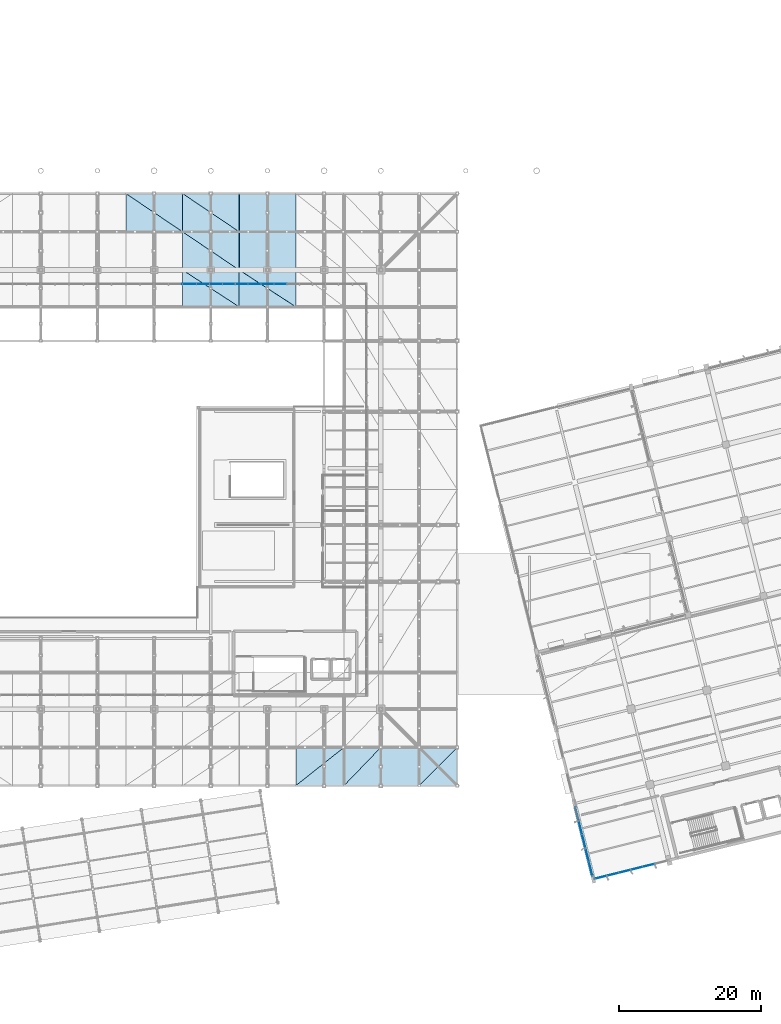
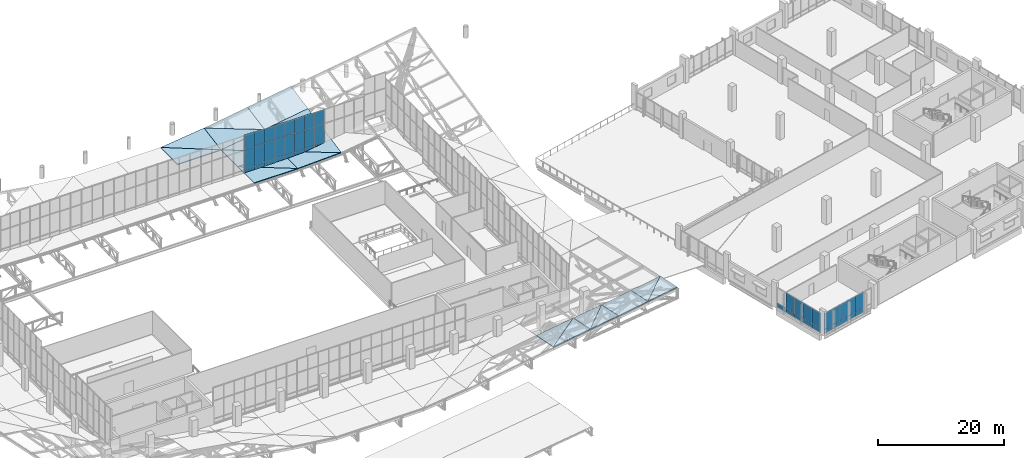
# One storey, part 108 of 137: 43 plates, 19 slabs, 6 elements without a shape of their own.
"""IFC4 building model written with IfcOpenShell, lengths in metres."""

import ifcopenshell
import ifcopenshell.guid

model = None  # the IFC model being written
_history = None  # IfcOwnerHistory: only IFC2X3 demands one
_inside = {}  # id of a spatial element -> (the spatial element, [elements in it])
_under = {}  # id of a project, library or spatial element -> (it, [spatial elements below it])
_declared = {}  # id of a project -> (the project, [libraries it declares])
_typed = {}  # id of a type object -> (the type object, [elements of that type])
_made_of = {}  # id of a material, layer set ... -> (it, [elements and type objects made of it])


def new_model(schema):
    """Start an empty IFC model of exactly this schema.

    Asked for "IFC4X3", IfcOpenShell would pick the latest addendum, in which some entities
    have other attributes; the version numbers below select the first issue.
    IFC2X3 requires an IfcOwnerHistory on every rooted entity: one is made here for all.
    """
    global model, _history
    if schema == "IFC4X3":
        model = ifcopenshell.file(schema_version=(4, 3, 0, 0))
    else:
        model = ifcopenshell.file(schema=schema)
    _inside.clear()
    _under.clear()
    _declared.clear()
    _typed.clear()
    _made_of.clear()
    _history = None
    if model.schema == "IFC2X3":
        org = make("IfcOrganization", Name="unknown")
        user = make(
            "IfcPersonAndOrganization",
            ThePerson=make("IfcPerson", FamilyName="unknown"),
            TheOrganization=org,
        )
        app = make(
            "IfcApplication",
            ApplicationDeveloper=org,
            Version="unknown",
            ApplicationFullName="unknown",
            ApplicationIdentifier="unknown",
        )
        _history = make(
            "IfcOwnerHistory",
            OwningUser=user,
            OwningApplication=app,
            ChangeAction="ADDED",
            CreationDate=0,
        )
    return model


def make(cls, **values):
    """One entity of the class cls with the attributes given. An attribute that is None is left unset."""
    return model.create_entity(
        cls, **{name: value for name, value in values.items() if value is not None}
    )


def rooted(cls, **values):
    """An entity with a GlobalId (a new one), such as an element, a storey or a relation."""
    return make(cls, GlobalId=ifcopenshell.guid.new(), OwnerHistory=_history, **values)


def si_unit(unit_type, name, prefix=None):
    """IfcSIUnit, for example si_unit("LENGTHUNIT", "METRE", prefix="MILLI")."""
    return make("IfcSIUnit", UnitType=unit_type, Prefix=prefix, Name=name)


def assignment(units):
    """IfcUnitAssignment: the units of a project."""
    return None if units is None else make("IfcUnitAssignment", Units=units)


def point(xyz):
    """IfcCartesianPoint."""
    return None if xyz is None else make("IfcCartesianPoint", Coordinates=xyz)


def direction(xyz):
    """IfcDirection."""
    return None if xyz is None else make("IfcDirection", DirectionRatios=xyz)


def frame(location, z_axis=None, x_axis=None):
    """IfcAxis2Placement3D, a coordinate frame: its origin and axes. An axis left out is left unset."""
    return make(
        "IfcAxis2Placement3D",
        Location=point(location),
        Axis=direction(z_axis),
        RefDirection=direction(x_axis),
    )


def frame_2d(location, x_axis=None):
    """IfcAxis2Placement2D, a coordinate frame in the plane: its origin and x axis."""
    return make(
        "IfcAxis2Placement2D", Location=point(location), RefDirection=direction(x_axis)
    )


def origin():
    """The frame at (0, 0, 0) with its axes left unset."""
    return frame((0.0, 0.0, 0.0))


def origin_2d():
    """The frame at (0, 0) in the plane with its x axis left unset."""
    return frame_2d((0.0, 0.0))


def place(relative_to, where):
    """IfcLocalPlacement: puts the frame where relative to a parent placement (None: the world)."""
    return make(
        "IfcLocalPlacement", PlacementRelTo=relative_to, RelativePlacement=where
    )


def context(
    kind, dimensions, precision=None, world=None, true_north=None, identifier=None
):
    """IfcGeometricRepresentationContext, for example the 3D "Model" context."""
    return make(
        "IfcGeometricRepresentationContext",
        ContextIdentifier=identifier,
        ContextType=kind,
        CoordinateSpaceDimension=dimensions,
        Precision=precision,
        WorldCoordinateSystem=world,
        TrueNorth=true_north,
    )


def subcontext(parent, identifier, kind, view, scale=None):
    """IfcGeometricRepresentationSubContext, for example "Body" below "Model"."""
    return make(
        "IfcGeometricRepresentationSubContext",
        ContextIdentifier=identifier,
        ContextType=kind,
        ParentContext=parent,
        TargetScale=scale,
        TargetView=view,
    )


def project(units=None, contexts=None):
    """IfcProject with its units and contexts."""
    return rooted(
        "IfcProject",
        Name="project",
        RepresentationContexts=contexts,
        UnitsInContext=assignment(units),
    )


def spatial(cls, under=None, at=None, **own):
    """A site, building, storey or space (cls), placed at a placement, below another one or the project."""
    s = rooted(cls, ObjectPlacement=at, **own)
    if under is not None:
        _under.setdefault(under.id(), (under, []))[1].append(s)
    return s


def polyline(points):
    """IfcPolyline through the points."""
    return make("IfcPolyline", Points=[point(p) for p in points])


def profile(cls, at=None, kind="AREA", **sizes):
    """A parametric profile (cls). Its sizes go by their IFC names, for example OverallWidth=200.0."""
    return make(cls, ProfileType=kind, Position=at, **sizes)


def rectangle(**sizes):
    """IfcRectangleProfileDef."""
    return profile("IfcRectangleProfileDef", **sizes)


def outline(outer, holes=None, kind="AREA"):
    """IfcArbitraryClosedProfileDef: a profile drawn as a closed curve; with holes, ...WithVoids."""
    if holes is None:
        return make("IfcArbitraryClosedProfileDef", ProfileType=kind, OuterCurve=outer)
    return make(
        "IfcArbitraryProfileDefWithVoids",
        ProfileType=kind,
        OuterCurve=outer,
        InnerCurves=holes,
    )


def extrude(swept, where, along, depth):
    """IfcExtrudedAreaSolid: the profile swept, set in the frame where, extruded along a direction by depth."""
    return make(
        "IfcExtrudedAreaSolid",
        SweptArea=swept,
        Position=where,
        ExtrudedDirection=direction(along),
        Depth=depth,
    )


def shape(context_of_items, identifier, shape_type, items):
    """IfcShapeRepresentation: the items that make up one representation, for example the "Body"."""
    return make(
        "IfcShapeRepresentation",
        ContextOfItems=context_of_items,
        RepresentationIdentifier=identifier,
        RepresentationType=shape_type,
        Items=items,
    )


def material(Name=None, Category=None):
    """IfcMaterial."""
    return make("IfcMaterial", Name=Name, Category=Category)


def layer(
    of_material, thickness, ventilated=None, Name=None, Category=None, Priority=None
):
    """IfcMaterialLayer: one layer of a wall or slab, of a material (None: an air gap)."""
    return make(
        "IfcMaterialLayer",
        Material=of_material,
        LayerThickness=thickness,
        IsVentilated=ventilated,
        Name=Name,
        Category=Category,
        Priority=Priority,
    )


def layer_set(layers, Name=None):
    """IfcMaterialLayerSet."""
    return make("IfcMaterialLayerSet", MaterialLayers=layers, LayerSetName=Name)


def made_of(thing, what):
    """Note that an element or type object is made of a material, layer set ...; save() writes the relation."""
    if what is not None:
        _made_of.setdefault(what.id(), (what, []))[1].append(thing)
    return thing


def type_object(cls, material=None, **own):
    """A type object (cls), such as IfcWallType, which elements share."""
    return made_of(rooted(cls, **own), material)


def element(
    cls,
    number,
    at=None,
    inside=None,
    cuts=None,
    type_object=None,
    material=None,
    context=None,
    identifier="Body",
    shape_type=None,
    held_by="IfcProductDefinitionShape",
    body=None,
    shapes=None,
    **own,
):
    """One element of the class cls, such as IfcWall. Its Tag is "e" and its number.

    at: its placement. inside: the storey or other place that contains it. cuts: it is an
    opening in that element (IfcRelVoidsElement). A single representation is given by context,
    identifier, shape_type and body (its items); several are given by shapes. held_by: the class
    of the entity that holds the representations. save() writes the other relations.
    """
    e = rooted(cls, Tag="e%d" % number, ObjectPlacement=at, **own)
    if body is not None:
        shapes = [shape(context, identifier, shape_type, body)]
    if shapes is not None:
        e.Representation = make(held_by, Representations=shapes)
    if inside is not None:
        _inside.setdefault(inside.id(), (inside, []))[1].append(e)
    if cuts is not None:
        rooted(
            "IfcRelVoidsElement", RelatingBuildingElement=cuts, RelatedOpeningElement=e
        )
    if type_object is not None:
        _typed.setdefault(type_object.id(), (type_object, []))[1].append(e)
    return made_of(e, material)


def aggregate(whole, parts):
    """IfcRelAggregates: a whole, such as a stair, and the parts it consists of."""
    return rooted("IfcRelAggregates", RelatingObject=whole, RelatedObjects=parts)


def save(model, path):
    """Write the relations noted so far, then the file.

    IfcRelAggregates (storeys below a building ...), IfcRelContainedInSpatialStructure (elements
    in a storey), IfcRelDefinesByType, IfcRelAssociatesMaterial and IfcRelDeclares: one each for
    every whole, place, type object, material and project.
    """
    for whole, parts in _under.values():
        aggregate(whole, parts)
    for where, things in _inside.values():
        rooted(
            "IfcRelContainedInSpatialStructure",
            RelatedElements=things,
            RelatingStructure=where,
        )
    for kind, things in _typed.values():
        rooted("IfcRelDefinesByType", RelatedObjects=things, RelatingType=kind)
    for what, things in _made_of.values():
        rooted("IfcRelAssociatesMaterial", RelatedObjects=things, RelatingMaterial=what)
    for by, libraries in _declared.values():
        rooted("IfcRelDeclares", RelatingContext=by, RelatedDefinitions=libraries)
    model.write(path)


model = new_model("IFC4")

# Units and contexts
model_context = context("Model", 3, precision=1e-05, world=origin(), true_north=direction((0.0, 1.0)))
body_context = subcontext(model_context, "Body", "Model", "MODEL_VIEW")
ifc_project = project(units=[si_unit("LENGTHUNIT", "METRE"), si_unit("AREAUNIT", "SQUARE_METRE"), si_unit("VOLUMEUNIT", "CUBIC_METRE"), si_unit("PLANEANGLEUNIT", "RADIAN"), si_unit("MASSUNIT", "GRAM", prefix="KILO")], contexts=[model_context])

# Site, building, storey
site_placement = place(None, origin())
site = spatial("IfcSite", under=ifc_project, at=site_placement, CompositionType="ELEMENT")
building_placement = place(site_placement, origin())
building = spatial("IfcBuilding", under=site, at=building_placement, Name="Khorjan Park Terminus", CompositionType="ELEMENT")
storey_placement = place(building_placement, frame((0.0, 0.0, 11.4)))
storey = spatial("IfcBuildingStorey", under=building, at=storey_placement, Name="L02", CompositionType="ELEMENT", Elevation=11.4)

# Curtain wall, plates
ifc_material_1 = material(Name="Anodized Bronze Aluminium", Category="aluminium")
ifc_layer_1 = layer(ifc_material_1, 0.22)
ifc_layer_set_1 = layer_set([ifc_layer_1], Name="Anodized Bronze Aluminium")
curtain_wall_type_1 = type_object("IfcCurtainWallType", Name="CW-OPS-B", PredefinedType="NOTDEFINED", material=ifc_layer_set_1)
curtain_wall_1_placement = place(storey_placement, origin())
curtain_wall_1 = element("IfcCurtainWall", 1, at=curtain_wall_1_placement, inside=storey, type_object=curtain_wall_type_1, Name="Unitized curtain wall CW-B (CW-V5-W-L02-B03)", PredefinedType="NOTDEFINED")
ifc_material_2 = material(Name="Low-E Solar Control Double Glazing", Category="glass")
ifc_layer_2 = layer(ifc_material_2, 0.032)
ifc_layer_set_2 = layer_set([ifc_layer_2], Name="Low-E Solar Control Double Glazing")
plate_type_1 = type_object("IfcPlateType", Name="GL-VIS-32", PredefinedType="CURTAIN_PANEL", material=ifc_layer_set_2)
plate_1_placement = place(storey_placement, frame((164.1886, 9.2653, 0.85), z_axis=(0.0, 0.0, 1.0), x_axis=(0.24192009683, -0.970296174758, 0.0)))
plate_1 = element("IfcPlate", 2, at=plate_1_placement, type_object=plate_type_1, Name="Curtain-wall panel VP-32 (CW-V5-W-L02-B03-1-2)", PredefinedType="CURTAIN_PANEL", context=body_context, shape_type="SweptSolid", body=[
    extrude(rectangle(XDim=1.9879, YDim=0.032, at=origin_2d()), origin(), (0.0, 0.0, 1.0), 3.025),
])
plate_2_placement = place(storey_placement, frame((164.6695, 7.3365, 0.85), z_axis=(0.0, 0.0, 1.0), x_axis=(0.24192009683, -0.970296174758, 0.0)))
plate_2 = element("IfcPlate", 3, at=plate_2_placement, type_object=plate_type_1, Name="Curtain-wall panel VP-32 (CW-V5-W-L02-B03-2-2)", PredefinedType="CURTAIN_PANEL", context=body_context, shape_type="SweptSolid", body=[
    extrude(rectangle(XDim=1.9879, YDim=0.032, at=origin_2d()), origin(), (0.0, 0.0, 1.0), 3.025),
])
plate_3_placement = place(storey_placement, frame((165.1504, 5.4077, 0.85), z_axis=(0.0, 0.0, 1.0), x_axis=(0.24192009683, -0.970296174758, 0.0)))
plate_3 = element("IfcPlate", 4, at=plate_3_placement, type_object=plate_type_1, Name="Curtain-wall panel VP-32 (CW-V5-W-L02-B03-3-2)", PredefinedType="CURTAIN_PANEL", context=body_context, shape_type="SweptSolid", body=[
    extrude(rectangle(XDim=1.9879, YDim=0.032, at=origin_2d()), origin(), (0.0, 0.0, 1.0), 3.025),
])
plate_4_placement = place(storey_placement, frame((165.6313, 3.4787, 0.85), z_axis=(0.0, 0.0, 1.0), x_axis=(0.24192009683, -0.970296174758, 0.0)))
plate_4 = element("IfcPlate", 5, at=plate_4_placement, type_object=plate_type_1, Name="Curtain-wall panel VP-32 (CW-V5-W-L02-B03-4-2)", PredefinedType="CURTAIN_PANEL", context=body_context, shape_type="SweptSolid", body=[
    extrude(rectangle(XDim=1.9879, YDim=0.032, at=origin_2d()), origin(), (0.0, 0.0, 1.0), 3.025),
])

ifc_layer_3 = layer(ifc_material_1, 0.22)
ifc_layer_set_3 = layer_set([ifc_layer_3], Name="Anodized Bronze Aluminium")
curtain_wall_type_2 = type_object("IfcCurtainWallType", Name="CW-CONC-CLR", PredefinedType="NOTDEFINED", material=ifc_layer_set_3)
curtain_wall_2_placement = place(storey_placement, origin())
curtain_wall_2 = element("IfcCurtainWall", 6, at=curtain_wall_2_placement, inside=storey, type_object=curtain_wall_type_2, Name="Unitized curtain wall CW-CL (CW-V2-N-CLR-06)", PredefinedType="NOTDEFINED")
ifc_material_3 = material(Name="Acoustic Laminated Solar Glazing", Category="glass")
ifc_layer_4 = layer(ifc_material_3, 0.036)
ifc_layer_set_4 = layer_set([ifc_layer_4], Name="Acoustic Laminated Solar Glazing")
plate_type_2 = type_object("IfcPlateType", Name="GL-VIS-36", PredefinedType="CURTAIN_PANEL", material=ifc_layer_set_4)
plate_5_placement = place(storey_placement, frame((109.0, 86.0, 1.3349), z_axis=(0.0, 0.0, 1.0), x_axis=(-1.0, 0.0, 0.0)))
plate_5 = element("IfcPlate", 7, at=plate_5_placement, type_object=plate_type_2, Name="Curtain-wall panel VP-36 (CW-V2-N-CLR-06-0-2)", PredefinedType="CURTAIN_PANEL", context=body_context, shape_type="SweptSolid", body=[
    extrude(rectangle(XDim=2.0, YDim=0.036, at=origin_2d()), origin(), (0.0, 0.0, 1.0), 3.8601),
])
plate_6_placement = place(storey_placement, frame((109.0, 86.0, 5.1951), z_axis=(0.0, 0.0, 1.0), x_axis=(-1.0, 0.0, 0.0)))
plate_6 = element("IfcPlate", 8, at=plate_6_placement, type_object=plate_type_2, Name="Curtain-wall panel VP-36 (CW-V2-N-CLR-06-0-3)", PredefinedType="CURTAIN_PANEL", context=body_context, shape_type="SweptSolid", body=[
    extrude(rectangle(XDim=2.0, YDim=0.036, at=origin_2d()), origin(), (0.0, 0.0, 1.0), 2.8968),
])

curtain_wall_3_placement = place(storey_placement, origin())
curtain_wall_3 = element("IfcCurtainWall", 9, at=curtain_wall_3_placement, inside=storey, type_object=curtain_wall_type_2, Name="Unitized curtain wall CW-CL (CW-V2-N-CLR-07)", PredefinedType="NOTDEFINED")
plate_7_placement = place(storey_placement, frame((121.8182, 86.0, 1.5663), z_axis=(0.0, 0.0, 1.0), x_axis=(-1.0, 0.0, 0.0)))
plate_7 = element("IfcPlate", 10, at=plate_7_placement, type_object=plate_type_2, Name="Curtain-wall panel VP-36 (CW-V2-N-CLR-07-4-2)", PredefinedType="CURTAIN_PANEL", context=body_context, shape_type="SweptSolid", body=[
    extrude(rectangle(XDim=1.8182, YDim=0.036, at=origin_2d()), origin(), (0.0, 0.0, 1.0), 3.6834),
])
plate_8_placement = place(storey_placement, frame((121.8182, 86.0, 5.2497), z_axis=(0.0, 0.0, 1.0), x_axis=(-1.0, 0.0, 0.0)))
plate_8 = element("IfcPlate", 11, at=plate_8_placement, type_object=plate_type_2, Name="Curtain-wall panel VP-36 (CW-V2-N-CLR-07-4-3)", PredefinedType="CURTAIN_PANEL", context=body_context, shape_type="SweptSolid", body=[
    extrude(rectangle(XDim=1.8182, YDim=0.036, at=origin_2d()), origin(), (0.0, 0.0, 1.0), 2.7886),
])
plate_9_placement = place(storey_placement, frame((120.0, 86.0, 1.5663), z_axis=(0.0, 0.0, 1.0), x_axis=(-1.0, 0.0, 0.0)))
plate_9 = element("IfcPlate", 12, at=plate_9_placement, type_object=plate_type_2, Name="Curtain-wall panel VP-36 (CW-V2-N-CLR-07-5-2)", PredefinedType="CURTAIN_PANEL", context=body_context, shape_type="SweptSolid", body=[
    extrude(rectangle(XDim=1.8182, YDim=0.036, at=origin_2d()), origin(), (0.0, 0.0, 1.0), 3.6834),
])
plate_10_placement = place(storey_placement, frame((120.0, 86.0, 5.2497), z_axis=(0.0, 0.0, 1.0), x_axis=(-1.0, 0.0, 0.0)))
plate_10 = element("IfcPlate", 13, at=plate_10_placement, type_object=plate_type_2, Name="Curtain-wall panel VP-36 (CW-V2-N-CLR-07-5-3)", PredefinedType="CURTAIN_PANEL", context=body_context, shape_type="SweptSolid", body=[
    extrude(rectangle(XDim=1.8182, YDim=0.036, at=origin_2d()), origin(), (0.0, 0.0, 1.0), 2.7886),
])
plate_11_placement = place(storey_placement, frame((118.1818, 86.0, 1.5663), z_axis=(0.0, 0.0, 1.0), x_axis=(-1.0, 0.0, 0.0)))
plate_11 = element("IfcPlate", 14, at=plate_11_placement, type_object=plate_type_2, Name="Curtain-wall panel VP-36 (CW-V2-N-CLR-07-6-2)", PredefinedType="CURTAIN_PANEL", context=body_context, shape_type="SweptSolid", body=[
    extrude(rectangle(XDim=1.8182, YDim=0.036, at=origin_2d()), origin(), (0.0, 0.0, 1.0), 3.6834),
])
plate_12_placement = place(storey_placement, frame((118.1818, 86.0, 5.2497), z_axis=(0.0, 0.0, 1.0), x_axis=(-1.0, 0.0, 0.0)))
plate_12 = element("IfcPlate", 15, at=plate_12_placement, type_object=plate_type_2, Name="Curtain-wall panel VP-36 (CW-V2-N-CLR-07-6-3)", PredefinedType="CURTAIN_PANEL", context=body_context, shape_type="SweptSolid", body=[
    extrude(rectangle(XDim=1.8182, YDim=0.036, at=origin_2d()), origin(), (0.0, 0.0, 1.0), 2.7886),
])
plate_13_placement = place(storey_placement, frame((116.3636, 86.0, 1.5663), z_axis=(0.0, 0.0, 1.0), x_axis=(-1.0, 0.0, 0.0)))
plate_13 = element("IfcPlate", 16, at=plate_13_placement, type_object=plate_type_2, Name="Curtain-wall panel VP-36 (CW-V2-N-CLR-07-7-2)", PredefinedType="CURTAIN_PANEL", context=body_context, shape_type="SweptSolid", body=[
    extrude(rectangle(XDim=1.8182, YDim=0.036, at=origin_2d()), origin(), (0.0, 0.0, 1.0), 3.6834),
])
plate_14_placement = place(storey_placement, frame((116.3636, 86.0, 5.2497), z_axis=(0.0, 0.0, 1.0), x_axis=(-1.0, 0.0, 0.0)))
plate_14 = element("IfcPlate", 17, at=plate_14_placement, type_object=plate_type_2, Name="Curtain-wall panel VP-36 (CW-V2-N-CLR-07-7-3)", PredefinedType="CURTAIN_PANEL", context=body_context, shape_type="SweptSolid", body=[
    extrude(rectangle(XDim=1.8182, YDim=0.036, at=origin_2d()), origin(), (0.0, 0.0, 1.0), 2.7886),
])
plate_15_placement = place(storey_placement, frame((114.5454, 86.0, 1.5663), z_axis=(0.0, 0.0, 1.0), x_axis=(-1.0, 0.0, 0.0)))
plate_15 = element("IfcPlate", 18, at=plate_15_placement, type_object=plate_type_2, Name="Curtain-wall panel VP-36 (CW-V2-N-CLR-07-8-2)", PredefinedType="CURTAIN_PANEL", context=body_context, shape_type="SweptSolid", body=[
    extrude(rectangle(XDim=1.8182, YDim=0.036, at=origin_2d()), origin(), (0.0, 0.0, 1.0), 3.6834),
])
plate_16_placement = place(storey_placement, frame((114.5454, 86.0, 5.2497), z_axis=(0.0, 0.0, 1.0), x_axis=(-1.0, 0.0, 0.0)))
plate_16 = element("IfcPlate", 19, at=plate_16_placement, type_object=plate_type_2, Name="Curtain-wall panel VP-36 (CW-V2-N-CLR-07-8-3)", PredefinedType="CURTAIN_PANEL", context=body_context, shape_type="SweptSolid", body=[
    extrude(rectangle(XDim=1.8182, YDim=0.036, at=origin_2d()), origin(), (0.0, 0.0, 1.0), 2.7886),
])
plate_17_placement = place(storey_placement, frame((112.7273, 86.0, 1.5663), z_axis=(0.0, 0.0, 1.0), x_axis=(-1.0, 0.0, 0.0)))
plate_17 = element("IfcPlate", 20, at=plate_17_placement, type_object=plate_type_2, Name="Curtain-wall panel VP-36 (CW-V2-N-CLR-07-9-2)", PredefinedType="CURTAIN_PANEL", context=body_context, shape_type="SweptSolid", body=[
    extrude(rectangle(XDim=1.8182, YDim=0.036, at=origin_2d()), origin(), (0.0, 0.0, 1.0), 3.6834),
])
plate_18_placement = place(storey_placement, frame((112.7273, 86.0, 5.2497), z_axis=(0.0, 0.0, 1.0), x_axis=(-1.0, 0.0, 0.0)))
plate_18 = element("IfcPlate", 21, at=plate_18_placement, type_object=plate_type_2, Name="Curtain-wall panel VP-36 (CW-V2-N-CLR-07-9-3)", PredefinedType="CURTAIN_PANEL", context=body_context, shape_type="SweptSolid", body=[
    extrude(rectangle(XDim=1.8182, YDim=0.036, at=origin_2d()), origin(), (0.0, 0.0, 1.0), 2.7886),
])
plate_19_placement = place(storey_placement, frame((110.9091, 86.0, 1.5663), z_axis=(0.0, 0.0, 1.0), x_axis=(-1.0, 0.0, 0.0)))
plate_19 = element("IfcPlate", 22, at=plate_19_placement, type_object=plate_type_2, Name="Curtain-wall panel VP-36 (CW-V2-N-CLR-07-10-2)", PredefinedType="CURTAIN_PANEL", context=body_context, shape_type="SweptSolid", body=[
    extrude(rectangle(XDim=1.8182, YDim=0.036, at=origin_2d()), origin(), (0.0, 0.0, 1.0), 3.6834),
])
plate_20_placement = place(storey_placement, frame((110.9091, 86.0, 5.2497), z_axis=(0.0, 0.0, 1.0), x_axis=(-1.0, 0.0, 0.0)))
plate_20 = element("IfcPlate", 23, at=plate_20_placement, type_object=plate_type_2, Name="Curtain-wall panel VP-36 (CW-V2-N-CLR-07-10-3)", PredefinedType="CURTAIN_PANEL", context=body_context, shape_type="SweptSolid", body=[
    extrude(rectangle(XDim=1.8182, YDim=0.036, at=origin_2d()), origin(), (0.0, 0.0, 1.0), 2.7886),
])

curtain_wall_4_placement = place(storey_placement, origin())
curtain_wall_4 = element("IfcCurtainWall", 24, at=curtain_wall_4_placement, inside=storey, type_object=curtain_wall_type_1, Name="Unitized curtain wall CW-B (CW-V5-S-L02-B01)", PredefinedType="NOTDEFINED")
plate_21_placement = place(storey_placement, frame((167.0673, 2.266, 0.85), z_axis=(0.0, 0.0, 1.0), x_axis=(0.970295567478, 0.241922532503, 0.0)))
plate_21 = element("IfcPlate", 25, at=plate_21_placement, type_object=plate_type_2, Name="Curtain-wall panel VP-36 (CW-V5-S-L02-B01-0-2)", PredefinedType="CURTAIN_PANEL", context=body_context, shape_type="SweptSolid", body=[
    extrude(rectangle(XDim=1.74, YDim=0.036, at=origin_2d()), origin(), (0.0, 0.0, 1.0), 3.075),
])
plate_22_placement = place(storey_placement, frame((168.7556, 2.687, 0.85), z_axis=(0.0, 0.0, 1.0), x_axis=(0.970295567478, 0.241922532503, 0.0)))
plate_22 = element("IfcPlate", 26, at=plate_22_placement, type_object=plate_type_2, Name="Curtain-wall panel VP-36 (CW-V5-S-L02-B01-1-2)", PredefinedType="CURTAIN_PANEL", context=body_context, shape_type="SweptSolid", body=[
    extrude(rectangle(XDim=1.74, YDim=0.036, at=origin_2d()), origin(), (0.0, 0.0, 1.0), 3.075),
])
plate_23_placement = place(storey_placement, frame((170.4438, 3.1079, 0.85), z_axis=(0.0, 0.0, 1.0), x_axis=(0.970295567478, 0.241922532503, 0.0)))
plate_23 = element("IfcPlate", 27, at=plate_23_placement, type_object=plate_type_2, Name="Curtain-wall panel VP-36 (CW-V5-S-L02-B01-2-2)", PredefinedType="CURTAIN_PANEL", context=body_context, shape_type="SweptSolid", body=[
    extrude(rectangle(XDim=1.74, YDim=0.036, at=origin_2d()), origin(), (0.0, 0.0, 1.0), 3.075),
])
plate_24_placement = place(storey_placement, frame((172.1322, 3.5289, 0.85), z_axis=(0.0, 0.0, 1.0), x_axis=(0.970295567478, 0.241922532503, 0.0)))
plate_24 = element("IfcPlate", 28, at=plate_24_placement, type_object=plate_type_2, Name="Curtain-wall panel VP-36 (CW-V5-S-L02-B01-3-2)", PredefinedType="CURTAIN_PANEL", context=body_context, shape_type="SweptSolid", body=[
    extrude(rectangle(XDim=1.74, YDim=0.036, at=origin_2d()), origin(), (0.0, 0.0, 1.0), 3.075),
])
plate_25_placement = place(storey_placement, frame((173.8204, 3.9498, 0.85), z_axis=(0.0, 0.0, 1.0), x_axis=(0.970295567478, 0.241922532503, 0.0)))
plate_25 = element("IfcPlate", 29, at=plate_25_placement, type_object=plate_type_2, Name="Curtain-wall panel VP-36 (CW-V5-S-L02-B01-4-2)", PredefinedType="CURTAIN_PANEL", context=body_context, shape_type="SweptSolid", body=[
    extrude(rectangle(XDim=1.74, YDim=0.036, at=origin_2d()), origin(), (0.0, 0.0, 1.0), 3.075),
])

# Roof, slabs
ifc_material_4 = material(Name="Concrete C50/60", Category="concrete")
ifc_layer_5 = layer(ifc_material_4, 0.16)
ifc_layer_set_5 = layer_set([ifc_layer_5], Name="Concrete C50/60")
roof_type = type_object("IfcRoofType", Name="RF-SHELL-LOWER", PredefinedType="FREEFORM", material=ifc_layer_set_5)
roof_1_placement = place(storey_placement, origin())
roof_1 = element("IfcRoof", 30, at=roof_1_placement, inside=storey, type_object=roof_type, Name="Lower 4-sided wrapping folded concrete shell roof RF-CS2 (3)", PredefinedType="FREEFORM")
ifc_layer_6 = layer(ifc_material_4, 0.16)
ifc_layer_set_6 = layer_set([ifc_layer_6], Name="Concrete C50/60")
slab_type = type_object("IfcSlabType", Name="SL-SHL-160", PredefinedType="ROOF", material=ifc_layer_set_6)
slab_1_placement = place(storey_placement, frame((100.0, 93.4, 0.78), z_axis=(0.0, 0.0, 1.0), x_axis=(1.0, 0.0, 0.0)))
slab_1 = element("IfcSlab", 31, at=slab_1_placement, type_object=slab_type, Name="Lower 4-sided wrapping folded concrete shell facet RS-16 (115)", PredefinedType="ROOF", context=body_context, shape_type="SweptSolid", body=[
    extrude(outline(polyline([(0.0, 0.0), (8.0, 0.0), (0.0, 5.3999999999999915), (0.0, 0.0)])), origin(), (0.0, 0.0, -1.0), 0.16),
])
slab_2_placement = place(storey_placement, frame((108.0, 93.4, 0.78), z_axis=(-0.117518365138, -0.174101281686, 0.977690225772), x_axis=(0.0, 0.98451219689, 0.175316097876)))
slab_2 = element("IfcSlab", 32, at=slab_2_placement, type_object=slab_type, Name="Lower 4-sided wrapping folded concrete shell facet RS-16 (116)", PredefinedType="ROOF", context=body_context, shape_type="SweptSolid", body=[
    extrude(outline(polyline([(0.0, 0.0), (5.484949822924538, 0.0), (5.316365863207114, 8.055821125653548), (0.0, 0.0)])), origin(), (0.0, 0.0, -1.0), 0.16),
])
slab_3_placement = place(storey_placement, frame((108.0, 82.8, 0.78), z_axis=(0.0, 0.0, 1.0), x_axis=(1.0, 0.0, 0.0)))
slab_3 = element("IfcSlab", 33, at=slab_3_placement, type_object=slab_type, Name="Lower 4-sided wrapping folded concrete shell facet RS-16 (123)", PredefinedType="ROOF", context=body_context, shape_type="SweptSolid", body=[
    extrude(outline(polyline([(0.0, 0.0), (8.0, 0.0), (0.0, 5.200000000000003), (0.0, 0.0)])), origin(), (0.0, 0.0, -1.0), 0.16),
])
slab_4_placement = place(storey_placement, frame((116.0, 82.8, 0.78), z_axis=(-0.009710957997, -0.01493993538, 0.99984123521), x_axis=(0.0, 0.999888382411, 0.014940639868)))
slab_4 = element("IfcSlab", 34, at=slab_4_placement, type_object=slab_type, Name="Lower 4-sided wrapping folded concrete shell facet RS-16 (124)", PredefinedType="ROOF", context=body_context, shape_type="SweptSolid", body=[
    extrude(outline(polyline([(0.0, 0.0), (5.200580476254553, 1.0842021724855044e-19), (5.199419588536813, 8.000377237501974), (0.0, 0.0)])), origin(), (0.0, 0.0, -1.0), 0.16),
])
slab_5_placement = place(storey_placement, frame((108.0, 88.0, 0.78), z_axis=(-0.009712041929, 0.0, 0.999952837009), x_axis=(0.999952837009, 0.0, 0.009712041929)))
slab_5 = element("IfcSlab", 35, at=slab_5_placement, type_object=slab_type, Name="Lower 4-sided wrapping folded concrete shell facet RS-16 (125)", PredefinedType="ROOF", context=body_context, shape_type="SweptSolid", body=[
    extrude(outline(polyline([(0.0, 0.0), (8.00037732172677, 0.0), (0.0, 5.400000000000006), (0.0, 0.0)])), origin(), (0.0, 0.0, -1.0), 0.16),
])
slab_6_placement = place(storey_placement, frame((116.0, 88.0, 0.8577), z_axis=(-0.140836900099, -0.19467991896, 0.97070319703), x_axis=(0.0, 0.980475784127, 0.196639865594)))
slab_6 = element("IfcSlab", 36, at=slab_6_placement, type_object=slab_type, Name="Lower 4-sided wrapping folded concrete shell facet RS-16 (126)", PredefinedType="ROOF", context=body_context, shape_type="SweptSolid", body=[
    extrude(outline(polyline([(0.0, 0.0), (5.507530208723332, -2.7755575615628914e-17), (5.279290316728008, 8.080540269171486), (0.0, 0.0)])), origin(), (0.0, 0.0, -1.0), 0.16),
])
slab_7_placement = place(storey_placement, frame((108.0, 93.4, 0.78), z_axis=(-0.141405126056, -0.173554488786, 0.974619633368), x_axis=(0.989638115901, 0.0, 0.143584120141)))
slab_7 = element("IfcSlab", 37, at=slab_7_placement, type_object=slab_type, Name="Lower 4-sided wrapping folded concrete shell facet RS-16 (127)", PredefinedType="ROOF", context=body_context, shape_type="SweptSolid", body=[
    extrude(outline(polyline([(0.0, 0.0), (8.083763015452643, -2.7755575615628914e-17), (0.138070489927333, 5.483211750407889), (0.0, 0.0)])), origin(), (0.0, 0.0, -1.0), 0.16),
])
slab_8_placement = place(storey_placement, frame((116.0, 93.4, 1.9407), z_axis=(-0.155228813368, -0.194256303897, 0.968590988961), x_axis=(0.0, 0.980475784127, 0.196639865594)))
slab_8 = element("IfcSlab", 38, at=slab_8_placement, type_object=slab_type, Name="Lower 4-sided wrapping folded concrete shell facet RS-16 (128)", PredefinedType="ROOF", context=body_context, shape_type="SweptSolid", body=[
    extrude(outline(polyline([(0.0, 0.0), (5.507530208723318, 5.551115123125783e-17), (5.255418237044842, 8.09816151751349), (0.0, 0.0)])), origin(), (0.0, 0.0, -1.0), 0.16),
])
slab_9_placement = place(storey_placement, frame((116.0, 82.8, 0.78), z_axis=(-0.039589515723, -0.014928926822, 0.999104497732), x_axis=(0.999215852983, 0.0, 0.039593928174)))
slab_9 = element("IfcSlab", 39, at=slab_9_placement, type_object=slab_type, Name="Lower 4-sided wrapping folded concrete shell facet RS-16 (133)", PredefinedType="ROOF", context=body_context, shape_type="SweptSolid", body=[
    extrude(outline(polyline([(0.0, 0.0), (8.006278099091988, 0.0), (0.003076448219153604, 5.200579566304739), (0.0, 0.0)])), origin(), (0.0, 0.0, -1.0), 0.16),
])
slab_10_placement = place(storey_placement, frame((124.0, 82.8, 1.097), z_axis=(-0.15524056657, -0.194257930331, 0.968588779098), x_axis=(0.0, 0.980475380201, 0.196641879618)))
slab_10 = element("IfcSlab", 40, at=slab_10_placement, type_object=slab_type, Name="Lower 4-sided wrapping folded concrete shell facet RS-16 (134)", PredefinedType="ROOF", context=body_context, shape_type="SweptSolid", body=[
    extrude(outline(polyline([(0.0, 0.0), (5.303549793298827, 0.0), (5.051415575253095, 8.09817665750078), (0.0, 0.0)])), origin(), (0.0, 0.0, -1.0), 0.16),
])
slab_11_placement = place(storey_placement, frame((116.0, 88.0, 0.8577), z_axis=(-0.155240628983, -0.194255938796, 0.96858916851), x_axis=(0.987398235344, 0.0, 0.15825525217)))
slab_11 = element("IfcSlab", 41, at=slab_11_placement, type_object=slab_type, Name="Lower 4-sided wrapping folded concrete shell facet RS-16 (135)", PredefinedType="ROOF", context=body_context, shape_type="SweptSolid", body=[
    extrude(outline(polyline([(0.0, 0.0), (8.102100767085041, 0.0), (8.27349120518491, 5.504862788274382), (0.17139043809987023, 5.504862788274382), (0.0, 0.0)])), origin(), (0.0, 0.0, -1.0), 0.16),
])
slab_12_placement = place(storey_placement, frame((116.0, 93.4, 1.9407), z_axis=(-0.155240628983, -0.194255938796, 0.96858916851), x_axis=(0.987398235344, 0.0, 0.15825525217)))
slab_12 = element("IfcSlab", 42, at=slab_12_placement, type_object=slab_type, Name="Lower 4-sided wrapping folded concrete shell facet RS-16 (136)", PredefinedType="ROOF", context=body_context, shape_type="SweptSolid", body=[
    extrude(outline(polyline([(0.0, 0.0), (8.102100767085041, 0.0), (8.27349120518491, 5.504862788274369), (0.17139043809987023, 5.504862788274369), (0.0, 0.0)])), origin(), (0.0, 0.0, -1.0), 0.16),
])
aggregate(roof_1, [slab_1, slab_2, slab_3, slab_4, slab_5, slab_6, slab_7, slab_8, slab_9, slab_10, slab_11, slab_12])

roof_2_placement = place(storey_placement, origin())
roof_2 = element("IfcRoof", 43, at=roof_2_placement, inside=storey, type_object=roof_type, Name="Lower 4-sided wrapping folded concrete shell roof RF-CS2 (4)", PredefinedType="FREEFORM")
slab_13_placement = place(storey_placement, frame((124.0, 15.2, 4.3059), z_axis=(-0.148866760064, 0.197724879688, 0.968887795207), x_axis=(0.988401253696, 0.0, 0.151864945568)))
slab_13 = element("IfcSlab", 44, at=slab_13_placement, type_object=slab_type, Name="Lower 4-sided wrapping folded concrete shell facet RS-16 (137)", PredefinedType="ROOF", context=body_context, shape_type="SweptSolid", body=[
    extrude(outline(polyline([(0.0, 0.0), (6.8797970202615835, 0.0), (6.712441850245794, 5.50875632489485), (0.0, 0.0)])), origin(), (0.0, 0.0, -1.0), 0.16),
])
slab_14_placement = place(storey_placement, frame((124.0, 15.2, 4.3059), z_axis=(-0.146315862219, 0.194523612236, 0.969923828321), x_axis=(0.783093857246, 0.621868651343, -0.00658720127)))
slab_14 = element("IfcSlab", 45, at=slab_14_placement, type_object=slab_type, Name="Lower 4-sided wrapping folded concrete shell facet RS-16 (138)", PredefinedType="ROOF", context=body_context, shape_type="SweptSolid", body=[
    extrude(outline(polyline([(0.0, 0.0), (8.683505734436993, 4.614364446098307e-16), (3.3652246562251698, 4.359833943298095), (0.0, 0.0)])), origin(), (0.0, 0.0, -1.0), 0.16),
])
slab_15_placement = place(storey_placement, frame((130.8, 15.2, 5.3507), z_axis=(-0.144665218122, 0.205483566718, 0.967909333809), x_axis=(0.989014339855, 0.0, 0.147819604795)))
slab_15 = element("IfcSlab", 46, at=slab_15_placement, type_object=slab_type, Name="Lower 4-sided wrapping folded concrete shell facet RS-16 (149)", PredefinedType="ROOF", context=body_context, shape_type="SweptSolid", body=[
    extrude(outline(polyline([(0.0, 0.0), (5.25775996409116, 2.7755575615628914e-17), (5.088299569153939, 5.517745566311277), (0.0, 0.0)])), origin(), (0.0, 0.0, -1.0), 0.16),
])
slab_16_placement = place(storey_placement, frame((130.8, 15.2, 5.3507), z_axis=(-0.136779491301, 0.198073648753, 0.970596826921), x_axis=(0.69280202772, 0.719448259556, -0.049188943968)))
slab_16 = element("IfcSlab", 47, at=slab_16_placement, type_object=slab_type, Name="Lower 4-sided wrapping folded concrete shell facet RS-16 (150)", PredefinedType="ROOF", context=body_context, shape_type="SweptSolid", body=[
    extrude(outline(polyline([(0.0, 0.0), (7.505751703860174, 8.326672684688674e-16), (3.939226817854089, 3.8544644345874004), (0.0, 0.0)])), origin(), (0.0, 0.0, -1.0), 0.16),
])
slab_17_placement = place(storey_placement, frame((136.0, 15.2, 6.1279), z_axis=(-0.163702380927, 0.204858058376, 0.965005029208), x_axis=(0.985914673299, 1.804674e-06, 0.167249086609)))
slab_17 = element("IfcSlab", 48, at=slab_17_placement, type_object=slab_type, Name="Lower 4-sided wrapping folded concrete shell facet RS-16 (171)", PredefinedType="ROOF", context=body_context, shape_type="SweptSolid", body=[
    extrude(outline(polyline([(0.0, 0.0), (5.477139399145504, -2.7755575615628914e-17), (5.28543151640735, 5.516996626369097), (-0.19172460764681556, 5.51701682365521), (0.0, 0.0)])), origin(), (0.0, 0.0, -1.0), 0.16),
])
slab_18_placement = place(storey_placement, frame((141.4, 15.2, 7.0439), z_axis=(-0.163710777019, 0.204866318933, 0.965001851218), x_axis=(0.985913104802, 0.0, 0.167258332465)))
slab_18 = element("IfcSlab", 49, at=slab_18_placement, type_object=slab_type, Name="Lower 4-sided wrapping folded concrete shell facet RS-16 (187)", PredefinedType="ROOF", context=body_context, shape_type="SweptSolid", body=[
    extrude(outline(polyline([(0.0, 0.0), (5.477156124303931, -2.7755575615628914e-17), (5.285411171966377, 5.517016116820133), (0.0, 0.0)])), origin(), (0.0, 0.0, -1.0), 0.16),
])
slab_19_placement = place(storey_placement, frame((141.4, 15.2, 7.0439), z_axis=(-0.163693984756, 0.204849797735, 0.965008207075), x_axis=(0.706785467467, 0.706785467467, -0.030143091325)))
slab_19 = element("IfcSlab", 50, at=slab_19_placement, type_object=slab_type, Name="Lower 4-sided wrapping folded concrete shell facet RS-16 (188)", PredefinedType="ROOF", context=body_context, shape_type="SweptSolid", body=[
    extrude(outline(polyline([(0.0, 0.0), (7.640225002576828, -8.049116928532385e-16), (3.851194549908695, 3.955035300569843), (0.0, 0.0)])), origin(), (0.0, 0.0, -1.0), 0.16),
])
aggregate(roof_2, [slab_13, slab_14, slab_15, slab_16, slab_17, slab_18, slab_19])

# Plate
ifc_material_5 = material(Name="Insulated Anodized Bronze Spandrel Panel")
ifc_layer_7 = layer(ifc_material_5, 0.045)
ifc_layer_set_7 = layer_set([ifc_layer_7], Name="Insulated Anodized Bronze Spandrel Panel")
plate_type_3 = type_object("IfcPlateType", Name="SP-AL-45", PredefinedType="CURTAIN_PANEL", material=ifc_layer_set_7)
plate_26_placement = place(storey_placement, frame((109.0, 86.0, 0.475), z_axis=(0.0, 0.0, 1.0), x_axis=(-1.0, 0.0, 0.0)))
plate_26 = element("IfcPlate", 51, at=plate_26_placement, type_object=plate_type_3, Name="Curtain-wall panel SP-A45 (CW-V2-N-CLR-06-0-1)", PredefinedType="CURTAIN_PANEL", context=body_context, shape_type="SweptSolid", body=[
    extrude(rectangle(XDim=2.0, YDim=0.045, at=origin_2d()), origin(), (0.0, 0.0, 1.0), 0.86),
])

aggregate(curtain_wall_2, [plate_26, plate_5, plate_6])

plate_27_placement = place(storey_placement, frame((121.8182, 86.0, 0.7063), z_axis=(0.0, 0.0, 1.0), x_axis=(-1.0, 0.0, 0.0)))
plate_27 = element("IfcPlate", 52, at=plate_27_placement, type_object=plate_type_3, Name="Curtain-wall panel SP-A45 (CW-V2-N-CLR-07-4-1)", PredefinedType="CURTAIN_PANEL", context=body_context, shape_type="SweptSolid", body=[
    extrude(rectangle(XDim=1.8182, YDim=0.045, at=origin_2d()), origin(), (0.0, 0.0, 1.0), 0.86),
])

plate_28_placement = place(storey_placement, frame((120.0, 86.0, 0.7063), z_axis=(0.0, 0.0, 1.0), x_axis=(-1.0, 0.0, 0.0)))
plate_28 = element("IfcPlate", 53, at=plate_28_placement, type_object=plate_type_3, Name="Curtain-wall panel SP-A45 (CW-V2-N-CLR-07-5-1)", PredefinedType="CURTAIN_PANEL", context=body_context, shape_type="SweptSolid", body=[
    extrude(rectangle(XDim=1.8182, YDim=0.045, at=origin_2d()), origin(), (0.0, 0.0, 1.0), 0.86),
])

plate_29_placement = place(storey_placement, frame((118.1818, 86.0, 0.7063), z_axis=(0.0, 0.0, 1.0), x_axis=(-1.0, 0.0, 0.0)))
plate_29 = element("IfcPlate", 54, at=plate_29_placement, type_object=plate_type_3, Name="Curtain-wall panel SP-A45 (CW-V2-N-CLR-07-6-1)", PredefinedType="CURTAIN_PANEL", context=body_context, shape_type="SweptSolid", body=[
    extrude(rectangle(XDim=1.8182, YDim=0.045, at=origin_2d()), origin(), (0.0, 0.0, 1.0), 0.86),
])

plate_30_placement = place(storey_placement, frame((116.3636, 86.0, 0.7063), z_axis=(0.0, 0.0, 1.0), x_axis=(-1.0, 0.0, 0.0)))
plate_30 = element("IfcPlate", 55, at=plate_30_placement, type_object=plate_type_3, Name="Curtain-wall panel SP-A45 (CW-V2-N-CLR-07-7-1)", PredefinedType="CURTAIN_PANEL", context=body_context, shape_type="SweptSolid", body=[
    extrude(rectangle(XDim=1.8182, YDim=0.045, at=origin_2d()), origin(), (0.0, 0.0, 1.0), 0.86),
])

plate_31_placement = place(storey_placement, frame((114.5454, 86.0, 0.7063), z_axis=(0.0, 0.0, 1.0), x_axis=(-1.0, 0.0, 0.0)))
plate_31 = element("IfcPlate", 56, at=plate_31_placement, type_object=plate_type_3, Name="Curtain-wall panel SP-A45 (CW-V2-N-CLR-07-8-1)", PredefinedType="CURTAIN_PANEL", context=body_context, shape_type="SweptSolid", body=[
    extrude(rectangle(XDim=1.8182, YDim=0.045, at=origin_2d()), origin(), (0.0, 0.0, 1.0), 0.86),
])

plate_32_placement = place(storey_placement, frame((112.7273, 86.0, 0.7063), z_axis=(0.0, 0.0, 1.0), x_axis=(-1.0, 0.0, 0.0)))
plate_32 = element("IfcPlate", 57, at=plate_32_placement, type_object=plate_type_3, Name="Curtain-wall panel SP-A45 (CW-V2-N-CLR-07-9-1)", PredefinedType="CURTAIN_PANEL", context=body_context, shape_type="SweptSolid", body=[
    extrude(rectangle(XDim=1.8182, YDim=0.045, at=origin_2d()), origin(), (0.0, 0.0, 1.0), 0.86),
])

plate_33_placement = place(storey_placement, frame((110.9091, 86.0, 0.7063), z_axis=(0.0, 0.0, 1.0), x_axis=(-1.0, 0.0, 0.0)))
plate_33 = element("IfcPlate", 58, at=plate_33_placement, type_object=plate_type_3, Name="Curtain-wall panel SP-A45 (CW-V2-N-CLR-07-10-1)", PredefinedType="CURTAIN_PANEL", context=body_context, shape_type="SweptSolid", body=[
    extrude(rectangle(XDim=1.8182, YDim=0.045, at=origin_2d()), origin(), (0.0, 0.0, 1.0), 0.86),
])

aggregate(curtain_wall_3, [plate_27, plate_7, plate_8, plate_28, plate_9, plate_10, plate_29, plate_11, plate_12, plate_30, plate_13, plate_14, plate_31, plate_15, plate_16, plate_32, plate_17, plate_18, plate_33, plate_19, plate_20])

ifc_material_6 = material(Name="Insulated Bronze-Composite Spandrel Panel")
ifc_layer_8 = layer(ifc_material_6, 0.055)
ifc_layer_set_8 = layer_set([ifc_layer_8], Name="Insulated Bronze-Composite Spandrel Panel")
plate_type_4 = type_object("IfcPlateType", Name="SP-AL-55", PredefinedType="CURTAIN_PANEL", material=ifc_layer_set_8)
plate_34_placement = place(storey_placement, frame((167.0673, 2.266, -0.01), z_axis=(0.0, 0.0, 1.0), x_axis=(0.970295567478, 0.241922532503, 0.0)))
plate_34 = element("IfcPlate", 59, at=plate_34_placement, type_object=plate_type_4, Name="Curtain-wall panel SP-A55 (CW-V5-S-L02-B01-0-1)", PredefinedType="CURTAIN_PANEL", context=body_context, shape_type="SweptSolid", body=[
    extrude(rectangle(XDim=1.74, YDim=0.055, at=origin_2d()), origin(), (0.0, 0.0, 1.0), 0.86),
])

plate_35_placement = place(storey_placement, frame((168.7556, 2.687, -0.01), z_axis=(0.0, 0.0, 1.0), x_axis=(0.970295567478, 0.241922532503, 0.0)))
plate_35 = element("IfcPlate", 60, at=plate_35_placement, type_object=plate_type_4, Name="Curtain-wall panel SP-A55 (CW-V5-S-L02-B01-1-1)", PredefinedType="CURTAIN_PANEL", context=body_context, shape_type="SweptSolid", body=[
    extrude(rectangle(XDim=1.74, YDim=0.055, at=origin_2d()), origin(), (0.0, 0.0, 1.0), 0.86),
])

plate_36_placement = place(storey_placement, frame((170.4438, 3.1079, -0.01), z_axis=(0.0, 0.0, 1.0), x_axis=(0.970295567478, 0.241922532503, 0.0)))
plate_36 = element("IfcPlate", 61, at=plate_36_placement, type_object=plate_type_4, Name="Curtain-wall panel SP-A55 (CW-V5-S-L02-B01-2-1)", PredefinedType="CURTAIN_PANEL", context=body_context, shape_type="SweptSolid", body=[
    extrude(rectangle(XDim=1.74, YDim=0.055, at=origin_2d()), origin(), (0.0, 0.0, 1.0), 0.86),
])

plate_37_placement = place(storey_placement, frame((172.1322, 3.5289, -0.01), z_axis=(0.0, 0.0, 1.0), x_axis=(0.970295567478, 0.241922532503, 0.0)))
plate_37 = element("IfcPlate", 62, at=plate_37_placement, type_object=plate_type_4, Name="Curtain-wall panel SP-A55 (CW-V5-S-L02-B01-3-1)", PredefinedType="CURTAIN_PANEL", context=body_context, shape_type="SweptSolid", body=[
    extrude(rectangle(XDim=1.74, YDim=0.055, at=origin_2d()), origin(), (0.0, 0.0, 1.0), 0.86),
])

plate_38_placement = place(storey_placement, frame((173.8204, 3.9498, -0.01), z_axis=(0.0, 0.0, 1.0), x_axis=(0.970295567478, 0.241922532503, 0.0)))
plate_38 = element("IfcPlate", 63, at=plate_38_placement, type_object=plate_type_4, Name="Curtain-wall panel SP-A55 (CW-V5-S-L02-B01-4-1)", PredefinedType="CURTAIN_PANEL", context=body_context, shape_type="SweptSolid", body=[
    extrude(rectangle(XDim=1.74, YDim=0.055, at=origin_2d()), origin(), (0.0, 0.0, 1.0), 0.86),
])

aggregate(curtain_wall_4, [plate_34, plate_21, plate_35, plate_22, plate_36, plate_23, plate_37, plate_24, plate_38, plate_25])

plate_39_placement = place(storey_placement, frame((163.7077, 11.1943, -0.01), z_axis=(0.0, 0.0, 1.0), x_axis=(0.24192009683, -0.970296174758, 0.0)))
plate_39 = element("IfcPlate", 64, at=plate_39_placement, type_object=plate_type_4, Name="Curtain-wall panel SP-A55 (CW-V5-W-L02-B03-0-1)", PredefinedType="CURTAIN_PANEL", context=body_context, shape_type="SweptSolid", body=[
    extrude(rectangle(XDim=1.9879, YDim=0.055, at=origin_2d()), origin(), (0.0, 0.0, 1.0), 0.86),
])

plate_40_placement = place(storey_placement, frame((164.1886, 9.2653, -0.01), z_axis=(0.0, 0.0, 1.0), x_axis=(0.24192009683, -0.970296174758, 0.0)))
plate_40 = element("IfcPlate", 65, at=plate_40_placement, type_object=plate_type_4, Name="Curtain-wall panel SP-A55 (CW-V5-W-L02-B03-1-1)", PredefinedType="CURTAIN_PANEL", context=body_context, shape_type="SweptSolid", body=[
    extrude(rectangle(XDim=1.9879, YDim=0.055, at=origin_2d()), origin(), (0.0, 0.0, 1.0), 0.86),
])

plate_41_placement = place(storey_placement, frame((164.6695, 7.3365, -0.01), z_axis=(0.0, 0.0, 1.0), x_axis=(0.24192009683, -0.970296174758, 0.0)))
plate_41 = element("IfcPlate", 66, at=plate_41_placement, type_object=plate_type_4, Name="Curtain-wall panel SP-A55 (CW-V5-W-L02-B03-2-1)", PredefinedType="CURTAIN_PANEL", context=body_context, shape_type="SweptSolid", body=[
    extrude(rectangle(XDim=1.9879, YDim=0.055, at=origin_2d()), origin(), (0.0, 0.0, 1.0), 0.86),
])

plate_42_placement = place(storey_placement, frame((165.1504, 5.4077, -0.01), z_axis=(0.0, 0.0, 1.0), x_axis=(0.24192009683, -0.970296174758, 0.0)))
plate_42 = element("IfcPlate", 67, at=plate_42_placement, type_object=plate_type_4, Name="Curtain-wall panel SP-A55 (CW-V5-W-L02-B03-3-1)", PredefinedType="CURTAIN_PANEL", context=body_context, shape_type="SweptSolid", body=[
    extrude(rectangle(XDim=1.9879, YDim=0.055, at=origin_2d()), origin(), (0.0, 0.0, 1.0), 0.86),
])

plate_43_placement = place(storey_placement, frame((165.6313, 3.4787, -0.01), z_axis=(0.0, 0.0, 1.0), x_axis=(0.24192009683, -0.970296174758, 0.0)))
plate_43 = element("IfcPlate", 68, at=plate_43_placement, type_object=plate_type_4, Name="Curtain-wall panel SP-A55 (CW-V5-W-L02-B03-4-1)", PredefinedType="CURTAIN_PANEL", context=body_context, shape_type="SweptSolid", body=[
    extrude(rectangle(XDim=1.9879, YDim=0.055, at=origin_2d()), origin(), (0.0, 0.0, 1.0), 0.86),
])

aggregate(curtain_wall_1, [plate_39, plate_40, plate_1, plate_41, plate_2, plate_42, plate_3, plate_43, plate_4])

save(model, "model.ifc")
